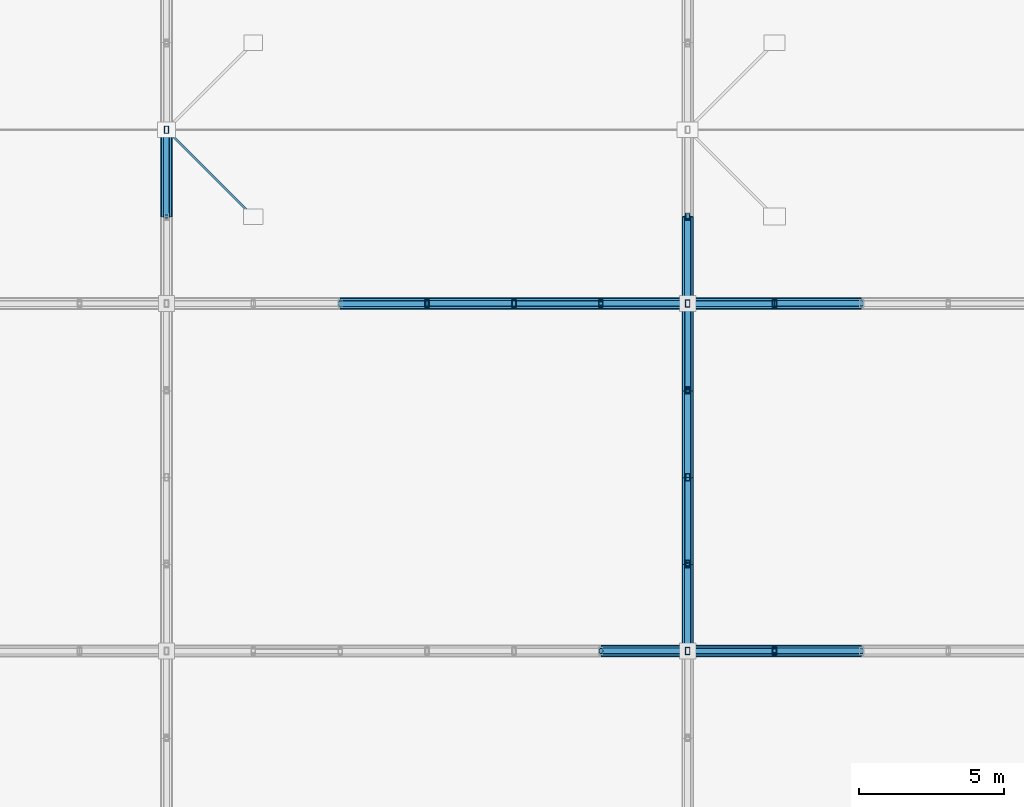
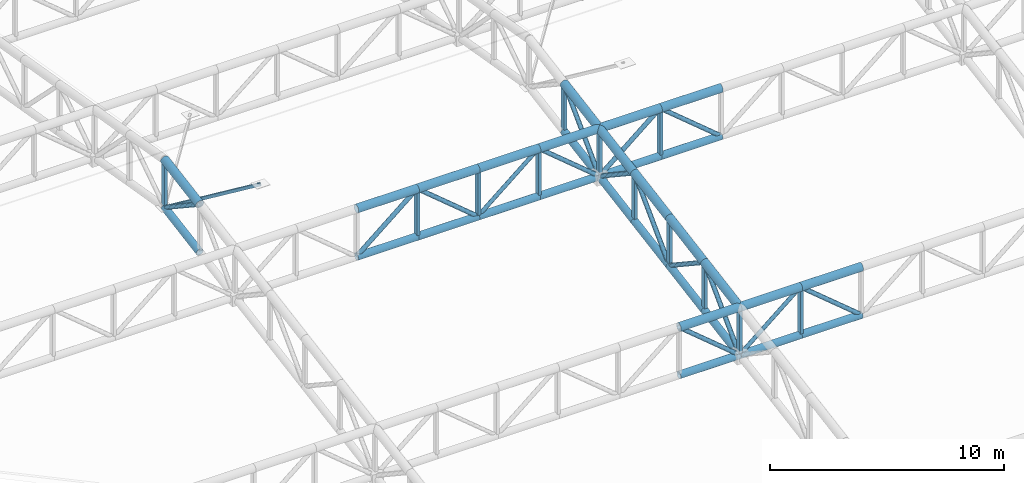
# One storey, part 113 of 239: 58 members.
"""IFC4 building model written with IfcOpenShell, lengths in metres."""

import ifcopenshell
import ifcopenshell.guid

model = None  # the IFC model being written
_history = None  # IfcOwnerHistory: only IFC2X3 demands one
_inside = {}  # id of a spatial element -> (the spatial element, [elements in it])
_under = {}  # id of a project, library or spatial element -> (it, [spatial elements below it])
_declared = {}  # id of a project -> (the project, [libraries it declares])
_typed = {}  # id of a type object -> (the type object, [elements of that type])
_made_of = {}  # id of a material, layer set ... -> (it, [elements and type objects made of it])


def new_model(schema):
    """Start an empty IFC model of exactly this schema.

    Asked for "IFC4X3", IfcOpenShell would pick the latest addendum, in which some entities
    have other attributes; the version numbers below select the first issue.
    IFC2X3 requires an IfcOwnerHistory on every rooted entity: one is made here for all.
    """
    global model, _history
    if schema == "IFC4X3":
        model = ifcopenshell.file(schema_version=(4, 3, 0, 0))
    else:
        model = ifcopenshell.file(schema=schema)
    _inside.clear()
    _under.clear()
    _declared.clear()
    _typed.clear()
    _made_of.clear()
    _history = None
    if model.schema == "IFC2X3":
        org = make("IfcOrganization", Name="unknown")
        user = make(
            "IfcPersonAndOrganization",
            ThePerson=make("IfcPerson", FamilyName="unknown"),
            TheOrganization=org,
        )
        app = make(
            "IfcApplication",
            ApplicationDeveloper=org,
            Version="unknown",
            ApplicationFullName="unknown",
            ApplicationIdentifier="unknown",
        )
        _history = make(
            "IfcOwnerHistory",
            OwningUser=user,
            OwningApplication=app,
            ChangeAction="ADDED",
            CreationDate=0,
        )
    return model


def make(cls, **values):
    """One entity of the class cls with the attributes given. An attribute that is None is left unset."""
    return model.create_entity(
        cls, **{name: value for name, value in values.items() if value is not None}
    )


def rooted(cls, **values):
    """An entity with a GlobalId (a new one), such as an element, a storey or a relation."""
    return make(cls, GlobalId=ifcopenshell.guid.new(), OwnerHistory=_history, **values)


def si_unit(unit_type, name, prefix=None):
    """IfcSIUnit, for example si_unit("LENGTHUNIT", "METRE", prefix="MILLI")."""
    return make("IfcSIUnit", UnitType=unit_type, Prefix=prefix, Name=name)


def assignment(units):
    """IfcUnitAssignment: the units of a project."""
    return None if units is None else make("IfcUnitAssignment", Units=units)


def point(xyz):
    """IfcCartesianPoint."""
    return None if xyz is None else make("IfcCartesianPoint", Coordinates=xyz)


def direction(xyz):
    """IfcDirection."""
    return None if xyz is None else make("IfcDirection", DirectionRatios=xyz)


def frame(location, z_axis=None, x_axis=None):
    """IfcAxis2Placement3D, a coordinate frame: its origin and axes. An axis left out is left unset."""
    return make(
        "IfcAxis2Placement3D",
        Location=point(location),
        Axis=direction(z_axis),
        RefDirection=direction(x_axis),
    )


def frame_2d(location, x_axis=None):
    """IfcAxis2Placement2D, a coordinate frame in the plane: its origin and x axis."""
    return make(
        "IfcAxis2Placement2D", Location=point(location), RefDirection=direction(x_axis)
    )


def origin():
    """The frame at (0, 0, 0) with its axes left unset."""
    return frame((0.0, 0.0, 0.0))


def origin_2d():
    """The frame at (0, 0) in the plane with its x axis left unset."""
    return frame_2d((0.0, 0.0))


def place(relative_to, where):
    """IfcLocalPlacement: puts the frame where relative to a parent placement (None: the world)."""
    return make(
        "IfcLocalPlacement", PlacementRelTo=relative_to, RelativePlacement=where
    )


def context(
    kind, dimensions, precision=None, world=None, true_north=None, identifier=None
):
    """IfcGeometricRepresentationContext, for example the 3D "Model" context."""
    return make(
        "IfcGeometricRepresentationContext",
        ContextIdentifier=identifier,
        ContextType=kind,
        CoordinateSpaceDimension=dimensions,
        Precision=precision,
        WorldCoordinateSystem=world,
        TrueNorth=true_north,
    )


def subcontext(parent, identifier, kind, view, scale=None):
    """IfcGeometricRepresentationSubContext, for example "Body" below "Model"."""
    return make(
        "IfcGeometricRepresentationSubContext",
        ContextIdentifier=identifier,
        ContextType=kind,
        ParentContext=parent,
        TargetScale=scale,
        TargetView=view,
    )


def project(units=None, contexts=None):
    """IfcProject with its units and contexts."""
    return rooted(
        "IfcProject",
        Name="project",
        RepresentationContexts=contexts,
        UnitsInContext=assignment(units),
    )


def spatial(cls, under=None, at=None, **own):
    """A site, building, storey or space (cls), placed at a placement, below another one or the project."""
    s = rooted(cls, ObjectPlacement=at, **own)
    if under is not None:
        _under.setdefault(under.id(), (under, []))[1].append(s)
    return s


def profile(cls, at=None, kind="AREA", **sizes):
    """A parametric profile (cls). Its sizes go by their IFC names, for example OverallWidth=200.0."""
    return make(cls, ProfileType=kind, Position=at, **sizes)


def hollow_rectangle(**sizes):
    """IfcRectangleHollowProfileDef."""
    return profile("IfcRectangleHollowProfileDef", **sizes)


def hollow_circle(**sizes):
    """IfcCircleHollowProfileDef."""
    return profile("IfcCircleHollowProfileDef", **sizes)


def extrude(swept, where, along, depth):
    """IfcExtrudedAreaSolid: the profile swept, set in the frame where, extruded along a direction by depth."""
    return make(
        "IfcExtrudedAreaSolid",
        SweptArea=swept,
        Position=where,
        ExtrudedDirection=direction(along),
        Depth=depth,
    )


def shape(context_of_items, identifier, shape_type, items):
    """IfcShapeRepresentation: the items that make up one representation, for example the "Body"."""
    return make(
        "IfcShapeRepresentation",
        ContextOfItems=context_of_items,
        RepresentationIdentifier=identifier,
        RepresentationType=shape_type,
        Items=items,
    )


def material(Name=None, Category=None):
    """IfcMaterial."""
    return make("IfcMaterial", Name=Name, Category=Category)


def material_profile(
    of_material, cross_section, Name=None, Category=None, Priority=None
):
    """IfcMaterialProfile: a cross section and its material."""
    return make(
        "IfcMaterialProfile",
        Name=Name,
        Material=of_material,
        Profile=cross_section,
        Priority=Priority,
        Category=Category,
    )


def profile_set(profiles, Name=None, composite=None):
    """IfcMaterialProfileSet."""
    return make(
        "IfcMaterialProfileSet",
        Name=Name,
        MaterialProfiles=profiles,
        CompositeProfile=composite,
    )


def made_of(thing, what):
    """Note that an element or type object is made of a material, layer set ...; save() writes the relation."""
    if what is not None:
        _made_of.setdefault(what.id(), (what, []))[1].append(thing)
    return thing


def type_object(cls, material=None, **own):
    """A type object (cls), such as IfcWallType, which elements share."""
    return made_of(rooted(cls, **own), material)


def element(
    cls,
    number,
    at=None,
    inside=None,
    cuts=None,
    type_object=None,
    material=None,
    context=None,
    identifier="Body",
    shape_type=None,
    held_by="IfcProductDefinitionShape",
    body=None,
    shapes=None,
    **own,
):
    """One element of the class cls, such as IfcWall. Its Tag is "e" and its number.

    at: its placement. inside: the storey or other place that contains it. cuts: it is an
    opening in that element (IfcRelVoidsElement). A single representation is given by context,
    identifier, shape_type and body (its items); several are given by shapes. held_by: the class
    of the entity that holds the representations. save() writes the other relations.
    """
    e = rooted(cls, Tag="e%d" % number, ObjectPlacement=at, **own)
    if body is not None:
        shapes = [shape(context, identifier, shape_type, body)]
    if shapes is not None:
        e.Representation = make(held_by, Representations=shapes)
    if inside is not None:
        _inside.setdefault(inside.id(), (inside, []))[1].append(e)
    if cuts is not None:
        rooted(
            "IfcRelVoidsElement", RelatingBuildingElement=cuts, RelatedOpeningElement=e
        )
    if type_object is not None:
        _typed.setdefault(type_object.id(), (type_object, []))[1].append(e)
    return made_of(e, material)


def aggregate(whole, parts):
    """IfcRelAggregates: a whole, such as a stair, and the parts it consists of."""
    return rooted("IfcRelAggregates", RelatingObject=whole, RelatedObjects=parts)


def save(model, path):
    """Write the relations noted so far, then the file.

    IfcRelAggregates (storeys below a building ...), IfcRelContainedInSpatialStructure (elements
    in a storey), IfcRelDefinesByType, IfcRelAssociatesMaterial and IfcRelDeclares: one each for
    every whole, place, type object, material and project.
    """
    for whole, parts in _under.values():
        aggregate(whole, parts)
    for where, things in _inside.values():
        rooted(
            "IfcRelContainedInSpatialStructure",
            RelatedElements=things,
            RelatingStructure=where,
        )
    for kind, things in _typed.values():
        rooted("IfcRelDefinesByType", RelatedObjects=things, RelatingType=kind)
    for what, things in _made_of.values():
        rooted("IfcRelAssociatesMaterial", RelatedObjects=things, RelatingMaterial=what)
    for by, libraries in _declared.values():
        rooted("IfcRelDeclares", RelatingContext=by, RelatedDefinitions=libraries)
    model.write(path)


model = new_model("IFC4")

# Units and contexts
model_context = context("Model", 3, precision=1e-05, world=origin(), true_north=direction((0.0, 1.0)))
body_context = subcontext(model_context, "Body", "Model", "MODEL_VIEW")
ifc_project = project(units=[si_unit("LENGTHUNIT", "METRE"), si_unit("AREAUNIT", "SQUARE_METRE"), si_unit("VOLUMEUNIT", "CUBIC_METRE"), si_unit("PLANEANGLEUNIT", "RADIAN"), si_unit("MASSUNIT", "GRAM", prefix="KILO")], contexts=[model_context])

# Site, building, storey
site_placement = place(None, origin())
site = spatial("IfcSite", under=ifc_project, at=site_placement, CompositionType="ELEMENT")
building_placement = place(site_placement, origin())
building = spatial("IfcBuilding", under=site, at=building_placement, Name="Kaldris Quays Convention Centre", CompositionType="ELEMENT")
storey_placement = place(building_placement, frame((0.0, 0.0, 11.39990234375)))
storey = spatial("IfcBuildingStorey", under=building, at=storey_placement, Name="L02", CompositionType="ELEMENT", Elevation=11.39990234375)

# Members
ifc_material = material(Name="Steel S355J2H", Category="steel")
ifc_material_profile_1 = material_profile(ifc_material, hollow_circle(Radius=0.203125, WallThickness=0.01611328125, at=origin_2d()), Name="CHS 406.4x16")
ifc_profile_set_1 = profile_set([ifc_material_profile_1], Name="Steel S355J2H")
member_type_1 = type_object("IfcMemberType", Name="STRUCTURAL MEMBER SC01", PredefinedType="CHORD", material=ifc_profile_set_1)
for number, where, z_axis, x_axis, name in (
    (1, (107.0, 80.0, 13.7861328125), (1.0, 0.0, 0.0), (0.0, 1.0, 0.0), "SF-V1 Top Chord X 114"),
    (2, (110.0, 80.0, 13.7861328125), (1.0, 0.0, 0.0), (0.0, 1.0, 0.0), "SF-V1 Top Chord X 115"),
    (3, (113.0, 80.0, 13.7861328125), (1.0, 0.0, 0.0), (0.0, 1.0, 0.0), "SF-V1 Top Chord X 116"),
    (4, (98.0, 92.0, 15.84326171875), (1.0, 0.0, 0.0), (0.0, 1.0, 0.0), "SF-V1 Top Chord X 153"),
    (5, (101.0, 92.0, 15.84326171875), (1.0, 0.0, 0.0), (0.0, 1.0, 0.0), "SF-V1 Top Chord X 154"),
    (6, (104.0, 92.0, 15.84326171875), (1.0, 0.0, 0.0), (0.0, 1.0, 0.0), "SF-V1 Top Chord X 155"),
    (7, (107.0, 92.0, 15.84326171875), (1.0, 0.0, 0.0), (0.0, 1.0, 0.0), "SF-V1 Top Chord X 156"),
    (8, (110.0, 92.0, 15.84326171875), (1.0, 0.0, 0.0), (0.0, 1.0, 0.0), "SF-V1 Top Chord X 157"),
    (9, (113.0, 92.0, 15.84326171875), (1.0, 0.0, 0.0), (0.0, 1.0, 0.0), "SF-V1 Top Chord X 158"),
):
    element("IfcMember", number, at=place(storey_placement, frame(where, z_axis=z_axis, x_axis=x_axis)), inside=storey, type_object=member_type_1, Name=name, PredefinedType="CHORD", context=body_context, shape_type="SweptSolid", body=[
        extrude(hollow_circle(Radius=0.203125, WallThickness=0.01611328125, at=origin_2d()), origin(), (0.0, 0.0, 1.0), 3.0),
    ])
for number, where, z_axis, x_axis, name in (
    (10, (92.0, 95.0, 16.357666015625), (0.0, 0.98562912375, 0.168923741424), (-1.0, 0.0, 0.0), "SF-V1 Top Chord Y 462"),
    (11, (110.0, 80.0, 13.7861328125), (0.0, 0.985615766076, 0.169001661712), (-1.0, 0.0, 0.0), "SF-V1 Top Chord Y 485"),
    (12, (110.0, 83.0, 14.300537109375), (0.0, 0.98562912375, 0.168923741424), (-1.0, 0.0, 0.0), "SF-V1 Top Chord Y 486"),
    (13, (110.0, 86.0, 14.814697265625), (0.0, 0.985615766076, 0.169001661712), (-1.0, 0.0, 0.0), "SF-V1 Top Chord Y 487"),
    (14, (110.0, 89.0, 15.3291015625), (0.0, 0.98562912375, 0.168923741424), (-1.0, 0.0, 0.0), "SF-V1 Top Chord Y 488"),
    (15, (110.0, 92.0, 15.84326171875), (0.0, 0.985615766076, 0.169001661712), (-1.0, 0.0, 0.0), "SF-V1 Top Chord Y 489"),
):
    element("IfcMember", number, at=place(storey_placement, frame(where, z_axis=z_axis, x_axis=x_axis)), inside=storey, type_object=member_type_1, Name=name, PredefinedType="CHORD", context=body_context, shape_type="SweptSolid", body=[
        extrude(hollow_circle(Radius=0.203125, WallThickness=0.01611328125, at=origin_2d()), origin(), (0.0, 0.0, 1.0), 3.043701171875),
    ])
ifc_material_profile_2 = material_profile(ifc_material, hollow_circle(Radius=0.177734375, WallThickness=0.01611328125, at=origin_2d()), Name="CHS 355.6x16")
ifc_profile_set_2 = profile_set([ifc_material_profile_2], Name="Steel S355J2H")
member_type_2 = type_object("IfcMemberType", Name="STRUCTURAL MEMBER SC02", PredefinedType="CHORD", material=ifc_profile_set_2)
for number, where, z_axis, x_axis, name in (
    (16, (107.0, 80.0, 11.2861328125), (1.0, 0.0, 0.0), (0.0, 1.0, 0.0), "SF-V1 Bottom Chord X 114"),
    (17, (110.0, 80.0, 11.2861328125), (1.0, 0.0, 0.0), (0.0, 1.0, 0.0), "SF-V1 Bottom Chord X 115"),
    (18, (113.0, 80.0, 11.2861328125), (1.0, 0.0, 0.0), (0.0, 1.0, 0.0), "SF-V1 Bottom Chord X 116"),
    (19, (98.0, 92.0, 13.34326171875), (1.0, 0.0, 0.0), (0.0, 1.0, 0.0), "SF-V1 Bottom Chord X 153"),
    (20, (101.0, 92.0, 13.34326171875), (1.0, 0.0, 0.0), (0.0, 1.0, 0.0), "SF-V1 Bottom Chord X 154"),
    (21, (104.0, 92.0, 13.34326171875), (1.0, 0.0, 0.0), (0.0, 1.0, 0.0), "SF-V1 Bottom Chord X 155"),
    (22, (107.0, 92.0, 13.34326171875), (1.0, 0.0, 0.0), (0.0, 1.0, 0.0), "SF-V1 Bottom Chord X 156"),
    (23, (110.0, 92.0, 13.34326171875), (1.0, 0.0, 0.0), (0.0, 1.0, 0.0), "SF-V1 Bottom Chord X 157"),
    (24, (113.0, 92.0, 13.34326171875), (1.0, 0.0, 0.0), (0.0, 1.0, 0.0), "SF-V1 Bottom Chord X 158"),
):
    element("IfcMember", number, at=place(storey_placement, frame(where, z_axis=z_axis, x_axis=x_axis)), inside=storey, type_object=member_type_2, Name=name, PredefinedType="CHORD", context=body_context, shape_type="SweptSolid", body=[
        extrude(hollow_circle(Radius=0.177734375, WallThickness=0.01611328125, at=origin_2d()), origin(), (0.0, 0.0, 1.0), 3.0),
    ])
for number, where, z_axis, x_axis, name in (
    (25, (92.0, 95.0, 13.857666015625), (0.0, 0.98562912375, 0.168923741424), (-1.0, 0.0, 0.0), "SF-V1 Bottom Chord Y 462"),
    (26, (110.0, 80.0, 11.2861328125), (0.0, 0.985615766076, 0.169001661712), (-1.0, 0.0, 0.0), "SF-V1 Bottom Chord Y 485"),
    (27, (110.0, 83.0, 11.800537109375), (0.0, 0.98562912375, 0.168923741424), (-1.0, 0.0, 0.0), "SF-V1 Bottom Chord Y 486"),
    (28, (110.0, 86.0, 12.314697265625), (0.0, 0.985615766076, 0.169001661712), (-1.0, 0.0, 0.0), "SF-V1 Bottom Chord Y 487"),
    (29, (110.0, 89.0, 12.8291015625), (0.0, 0.98562912375, 0.168923741424), (-1.0, 0.0, 0.0), "SF-V1 Bottom Chord Y 488"),
    (30, (110.0, 92.0, 13.34326171875), (0.0, 0.985615766076, 0.169001661712), (-1.0, 0.0, 0.0), "SF-V1 Bottom Chord Y 489"),
):
    element("IfcMember", number, at=place(storey_placement, frame(where, z_axis=z_axis, x_axis=x_axis)), inside=storey, type_object=member_type_2, Name=name, PredefinedType="CHORD", context=body_context, shape_type="SweptSolid", body=[
        extrude(hollow_circle(Radius=0.177734375, WallThickness=0.01611328125, at=origin_2d()), origin(), (0.0, 0.0, 1.0), 3.043701171875),
    ])
ifc_material_profile_3 = material_profile(ifc_material, hollow_circle(Radius=0.109619140625, WallThickness=0.010009765625, at=origin_2d()), Name="CHS 219.1x10")
ifc_profile_set_3 = profile_set([ifc_material_profile_3], Name="Steel S355J2H")
member_type_3 = type_object("IfcMemberType", Name="STRUCTURAL MEMBER SWB1", PredefinedType="BRACE", material=ifc_profile_set_3)
for number, where, z_axis, x_axis, name in (
    (31, (110.0, 80.0, 11.2861328125), (-0.768221279597, 0.0, 0.640184399664), (0.0, -1.0, 0.0), "SF-V1 Web Diagonal X 114"),
    (32, (116.0, 80.0, 11.2861328125), (-0.768221279597, 0.0, 0.640184399664), (0.0, -1.0, 0.0), "SF-V1 Web Diagonal X 116"),
    (33, (98.0, 92.0, 13.34326171875), (0.768221279597, 0.0, 0.640184399664), (0.0, 1.0, 0.0), "SF-V1 Web Diagonal X 153"),
    (34, (104.0, 92.0, 13.34326171875), (-0.768221279597, 0.0, 0.640184399664), (0.0, -1.0, 0.0), "SF-V1 Web Diagonal X 154"),
    (35, (110.0, 92.0, 13.34326171875), (-0.768221279597, 0.0, 0.640184399664), (0.0, -1.0, 0.0), "SF-V1 Web Diagonal X 156"),
    (36, (110.0, 92.0, 13.34326171875), (0.768221279597, 0.0, 0.640184399664), (0.0, 1.0, 0.0), "SF-V1 Web Diagonal X 157"),
    (37, (116.0, 92.0, 13.34326171875), (-0.768221279597, 0.0, 0.640184399664), (0.0, -1.0, 0.0), "SF-V1 Web Diagonal X 158"),
):
    element("IfcMember", number, at=place(storey_placement, frame(where, z_axis=z_axis, x_axis=x_axis)), inside=storey, type_object=member_type_3, Name=name, PredefinedType="BRACE", context=body_context, shape_type="SweptSolid", body=[
        extrude(hollow_circle(Radius=0.109619140625, WallThickness=0.010009765625, at=origin_2d()), origin(), (0.0, 0.0, 1.0), 3.905029296875),
    ])
member_1_placement = place(storey_placement, frame((92.0, 98.0, 14.371826171875), z_axis=(0.0, -0.833862389808, 0.551972385962), x_axis=(1.0, 0.0, 0.0)))
element("IfcMember", 38, at=member_1_placement, inside=storey, type_object=member_type_3, Name="SF-V1 Web Diagonal Y 462", PredefinedType="BRACE", context=body_context, shape_type="SweptSolid", body=[
    extrude(hollow_circle(Radius=0.109619140625, WallThickness=0.010009765625, at=origin_2d()), origin(), (0.0, 0.0, 1.0), 3.59765625),
])
member_2_placement = place(storey_placement, frame((110.0, 80.0, 11.2861328125), z_axis=(0.0, 0.705411261057, 0.708798245465), x_axis=(-1.0, 0.0, 0.0)))
element("IfcMember", 39, at=member_2_placement, inside=storey, type_object=member_type_3, Name="SF-V1 Web Diagonal Y 485", PredefinedType="BRACE", context=body_context, shape_type="SweptSolid", body=[
    extrude(hollow_circle(Radius=0.109619140625, WallThickness=0.010009765625, at=origin_2d()), origin(), (0.0, 0.0, 1.0), 4.2529296875),
])
member_3_placement = place(storey_placement, frame((110.0, 86.0, 12.314697265625), z_axis=(0.0, -0.833862389808, 0.551972385962), x_axis=(1.0, 0.0, 0.0)))
element("IfcMember", 40, at=member_3_placement, inside=storey, type_object=member_type_3, Name="SF-V1 Web Diagonal Y 486", PredefinedType="BRACE", context=body_context, shape_type="SweptSolid", body=[
    extrude(hollow_circle(Radius=0.109619140625, WallThickness=0.010009765625, at=origin_2d()), origin(), (0.0, 0.0, 1.0), 3.59765625),
])
member_4_placement = place(storey_placement, frame((110.0, 86.0, 12.314697265625), z_axis=(0.0, 0.705411261057, 0.708798245465), x_axis=(-1.0, 0.0, 0.0)))
element("IfcMember", 41, at=member_4_placement, inside=storey, type_object=member_type_3, Name="SF-V1 Web Diagonal Y 487", PredefinedType="BRACE", context=body_context, shape_type="SweptSolid", body=[
    extrude(hollow_circle(Radius=0.109619140625, WallThickness=0.010009765625, at=origin_2d()), origin(), (0.0, 0.0, 1.0), 4.2529296875),
])
member_5_placement = place(storey_placement, frame((110.0, 92.0, 13.34326171875), z_axis=(0.0, -0.833862389808, 0.551972385962), x_axis=(1.0, 0.0, 0.0)))
element("IfcMember", 42, at=member_5_placement, inside=storey, type_object=member_type_3, Name="SF-V1 Web Diagonal Y 488", PredefinedType="BRACE", context=body_context, shape_type="SweptSolid", body=[
    extrude(hollow_circle(Radius=0.109619140625, WallThickness=0.010009765625, at=origin_2d()), origin(), (0.0, 0.0, 1.0), 3.59765625),
])
member_6_placement = place(storey_placement, frame((110.0, 92.0, 13.34326171875), z_axis=(0.0, 0.705411261057, 0.708798245465), x_axis=(-1.0, 0.0, 0.0)))
element("IfcMember", 43, at=member_6_placement, inside=storey, type_object=member_type_3, Name="SF-V1 Web Diagonal Y 489", PredefinedType="BRACE", context=body_context, shape_type="SweptSolid", body=[
    extrude(hollow_circle(Radius=0.109619140625, WallThickness=0.010009765625, at=origin_2d()), origin(), (0.0, 0.0, 1.0), 4.2529296875),
])
ifc_material_profile_4 = material_profile(ifc_material, hollow_circle(Radius=0.096923828125, WallThickness=0.008056640625, at=origin_2d()), Name="CHS 193.7x8")
ifc_profile_set_4 = profile_set([ifc_material_profile_4], Name="Steel S355J2H")
member_type_4 = type_object("IfcMemberType", Name="STRUCTURAL MEMBER SWB3", PredefinedType="BRACE", material=ifc_profile_set_4)
for number, where, z_axis, x_axis, name in (
    (44, (110.0, 80.0, 11.2861328125), (0.768221279597, 0.0, 0.640184399664), (0.0, 1.0, 0.0), "SF-V1 Web Diagonal X 115"),
    (45, (104.0, 92.0, 13.34326171875), (0.768221279597, 0.0, 0.640184399664), (0.0, 1.0, 0.0), "SF-V1 Web Diagonal X 155"),
):
    element("IfcMember", number, at=place(storey_placement, frame(where, z_axis=z_axis, x_axis=x_axis)), inside=storey, type_object=member_type_4, Name=name, PredefinedType="BRACE", context=body_context, shape_type="SweptSolid", body=[
        extrude(hollow_circle(Radius=0.096923828125, WallThickness=0.008056640625, at=origin_2d()), origin(), (0.0, 0.0, 1.0), 3.905029296875),
    ])
ifc_material_profile_5 = material_profile(ifc_material, hollow_rectangle(XDim=0.14990234375, YDim=0.25, WallThickness=0.010009765625, at=origin_2d()), Name="RHS 250x150x10")
ifc_profile_set_5 = profile_set([ifc_material_profile_5], Name="Steel S355J2H")
member_type_5 = type_object("IfcMemberType", Name="STRUCTURAL MEMBER TTV1", PredefinedType="POST", material=ifc_profile_set_5)
for number, where, z_axis, x_axis, name in (
    (46, (92.0, 98.0, 14.371826171875), (0.0, 0.0, 1.0), (1.0, 0.0, 0.0), "SF-V1 Space-Frame Post 291"),
    (47, (101.0, 92.0, 13.34326171875), (0.0, 0.0, 1.0), (1.0, 0.0, 0.0), "SF-V1 Space-Frame Post 325"),
    (48, (104.0, 92.0, 13.34326171875), (0.0, 0.0, 1.0), (1.0, 0.0, 0.0), "SF-V1 Space-Frame Post 333"),
    (49, (107.0, 92.0, 13.34326171875), (0.0, 0.0, 1.0), (1.0, 0.0, 0.0), "SF-V1 Space-Frame Post 341"),
    (50, (110.0, 80.0, 11.2861328125), (0.0, 0.0, 1.0), (1.0, 0.0, 0.0), "SF-V1 Space-Frame Post 354"),
    (51, (110.0, 83.0, 11.800537109375), (0.0, 0.0, 1.0), (1.0, 0.0, 0.0), "SF-V1 Space-Frame Post 355"),
    (52, (110.0, 86.0, 12.314697265625), (0.0, 0.0, 1.0), (1.0, 0.0, 0.0), "SF-V1 Space-Frame Post 356"),
    (53, (110.0, 89.0, 12.8291015625), (0.0, 0.0, 1.0), (1.0, 0.0, 0.0), "SF-V1 Space-Frame Post 357"),
    (54, (110.0, 92.0, 13.34326171875), (0.0, 0.0, 1.0), (1.0, 0.0, 0.0), "SF-V1 Space-Frame Post 358"),
    (55, (110.0, 95.0, 13.857666015625), (0.0, 0.0, 1.0), (1.0, 0.0, 0.0), "SF-V1 Space-Frame Post 359"),
    (56, (113.0, 80.0, 11.2861328125), (0.0, 0.0, 1.0), (1.0, 0.0, 0.0), "SF-V1 Space-Frame Post 377"),
    (57, (113.0, 92.0, 13.34326171875), (0.0, 0.0, 1.0), (1.0, 0.0, 0.0), "SF-V1 Space-Frame Post 378"),
):
    element("IfcMember", number, at=place(storey_placement, frame(where, z_axis=z_axis, x_axis=x_axis)), inside=storey, type_object=member_type_5, Name=name, PredefinedType="POST", context=body_context, shape_type="SweptSolid", body=[
        extrude(hollow_rectangle(XDim=0.14990234375, YDim=0.25, WallThickness=0.010009765625, at=origin_2d()), origin(), (0.0, 0.0, 1.0), 2.5),
    ])
ifc_material_profile_6 = material_profile(ifc_material, hollow_rectangle(XDim=0.080078125, YDim=0.159912109375, WallThickness=0.00634765625, at=origin_2d()), Name="RHS 160x80x6.3")
ifc_profile_set_6 = profile_set([ifc_material_profile_6], Name="Steel S355J2H")
member_type_6 = type_object("IfcMemberType", Name="STRUCTURAL MEMBER WS02", PredefinedType="STRUT", material=ifc_profile_set_6)
member_7_placement = place(storey_placement, frame((92.0, 98.0, 14.371826171875), z_axis=(0.640424167839, -0.640424167839, 0.423926609798), x_axis=(0.707106781187, 0.707106781187, 0.0)))
element("IfcMember", 58, at=member_7_placement, inside=storey, type_object=member_type_6, Name="SF-V1 Interior Space-Frame Plan Diagonal Strut 8", PredefinedType="STRUT", context=body_context, shape_type="SweptSolid", body=[
    extrude(hollow_rectangle(XDim=0.080078125, YDim=0.159912109375, WallThickness=0.00634765625, at=origin_2d()), origin(), (0.0, 0.0, 1.0), 4.684326171875),
])

save(model, "model.ifc")
